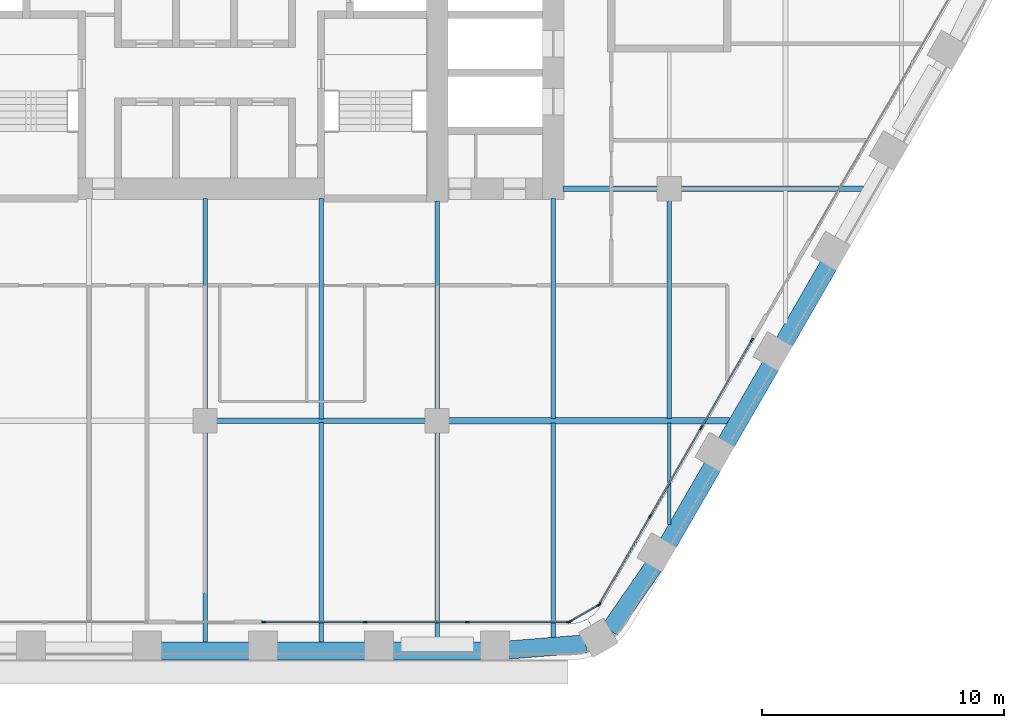
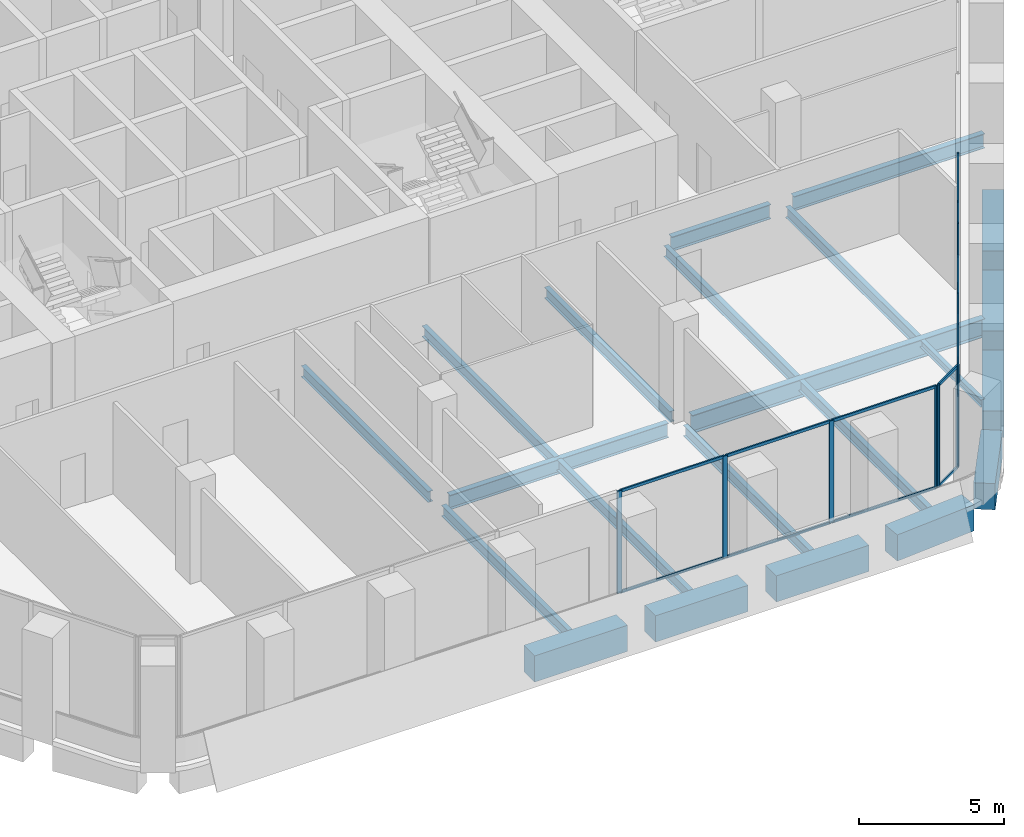
# One storey, part 4 of 23: 24 members, 22 beams, 3 elements without a shape of their own.
"""IFC4 building model written with IfcOpenShell, lengths in metres."""

import ifcopenshell
import ifcopenshell.guid

model = None  # the IFC model being written
_history = None  # IfcOwnerHistory: only IFC2X3 demands one
_inside = {}  # id of a spatial element -> (the spatial element, [elements in it])
_under = {}  # id of a project, library or spatial element -> (it, [spatial elements below it])
_declared = {}  # id of a project -> (the project, [libraries it declares])
_typed = {}  # id of a type object -> (the type object, [elements of that type])
_made_of = {}  # id of a material, layer set ... -> (it, [elements and type objects made of it])


def new_model(schema):
    """Start an empty IFC model of exactly this schema.

    Asked for "IFC4X3", IfcOpenShell would pick the latest addendum, in which some entities
    have other attributes; the version numbers below select the first issue.
    IFC2X3 requires an IfcOwnerHistory on every rooted entity: one is made here for all.
    """
    global model, _history
    if schema == "IFC4X3":
        model = ifcopenshell.file(schema_version=(4, 3, 0, 0))
    else:
        model = ifcopenshell.file(schema=schema)
    _inside.clear()
    _under.clear()
    _declared.clear()
    _typed.clear()
    _made_of.clear()
    _history = None
    if model.schema == "IFC2X3":
        org = make("IfcOrganization", Name="unknown")
        user = make(
            "IfcPersonAndOrganization",
            ThePerson=make("IfcPerson", FamilyName="unknown"),
            TheOrganization=org,
        )
        app = make(
            "IfcApplication",
            ApplicationDeveloper=org,
            Version="unknown",
            ApplicationFullName="unknown",
            ApplicationIdentifier="unknown",
        )
        _history = make(
            "IfcOwnerHistory",
            OwningUser=user,
            OwningApplication=app,
            ChangeAction="ADDED",
            CreationDate=0,
        )
    return model


def make(cls, **values):
    """One entity of the class cls with the attributes given. An attribute that is None is left unset."""
    return model.create_entity(
        cls, **{name: value for name, value in values.items() if value is not None}
    )


def rooted(cls, **values):
    """An entity with a GlobalId (a new one), such as an element, a storey or a relation."""
    return make(cls, GlobalId=ifcopenshell.guid.new(), OwnerHistory=_history, **values)


def si_unit(unit_type, name, prefix=None):
    """IfcSIUnit, for example si_unit("LENGTHUNIT", "METRE", prefix="MILLI")."""
    return make("IfcSIUnit", UnitType=unit_type, Prefix=prefix, Name=name)


def assignment(units):
    """IfcUnitAssignment: the units of a project."""
    return None if units is None else make("IfcUnitAssignment", Units=units)


def point(xyz):
    """IfcCartesianPoint."""
    return None if xyz is None else make("IfcCartesianPoint", Coordinates=xyz)


def direction(xyz):
    """IfcDirection."""
    return None if xyz is None else make("IfcDirection", DirectionRatios=xyz)


def frame(location, z_axis=None, x_axis=None):
    """IfcAxis2Placement3D, a coordinate frame: its origin and axes. An axis left out is left unset."""
    return make(
        "IfcAxis2Placement3D",
        Location=point(location),
        Axis=direction(z_axis),
        RefDirection=direction(x_axis),
    )


def frame_2d(location, x_axis=None):
    """IfcAxis2Placement2D, a coordinate frame in the plane: its origin and x axis."""
    return make(
        "IfcAxis2Placement2D", Location=point(location), RefDirection=direction(x_axis)
    )


def origin():
    """The frame at (0, 0, 0) with its axes left unset."""
    return frame((0.0, 0.0, 0.0))


def origin_2d():
    """The frame at (0, 0) in the plane with its x axis left unset."""
    return frame_2d((0.0, 0.0))


def place(relative_to, where):
    """IfcLocalPlacement: puts the frame where relative to a parent placement (None: the world)."""
    return make(
        "IfcLocalPlacement", PlacementRelTo=relative_to, RelativePlacement=where
    )


def context(
    kind, dimensions, precision=None, world=None, true_north=None, identifier=None
):
    """IfcGeometricRepresentationContext, for example the 3D "Model" context."""
    return make(
        "IfcGeometricRepresentationContext",
        ContextIdentifier=identifier,
        ContextType=kind,
        CoordinateSpaceDimension=dimensions,
        Precision=precision,
        WorldCoordinateSystem=world,
        TrueNorth=true_north,
    )


def subcontext(parent, identifier, kind, view, scale=None):
    """IfcGeometricRepresentationSubContext, for example "Body" below "Model"."""
    return make(
        "IfcGeometricRepresentationSubContext",
        ContextIdentifier=identifier,
        ContextType=kind,
        ParentContext=parent,
        TargetScale=scale,
        TargetView=view,
    )


def project(units=None, contexts=None):
    """IfcProject with its units and contexts."""
    return rooted(
        "IfcProject",
        Name="project",
        RepresentationContexts=contexts,
        UnitsInContext=assignment(units),
    )


def spatial(cls, under=None, at=None, **own):
    """A site, building, storey or space (cls), placed at a placement, below another one or the project."""
    s = rooted(cls, ObjectPlacement=at, **own)
    if under is not None:
        _under.setdefault(under.id(), (under, []))[1].append(s)
    return s


def profile(cls, at=None, kind="AREA", **sizes):
    """A parametric profile (cls). Its sizes go by their IFC names, for example OverallWidth=200.0."""
    return make(cls, ProfileType=kind, Position=at, **sizes)


def rectangle(**sizes):
    """IfcRectangleProfileDef."""
    return profile("IfcRectangleProfileDef", **sizes)


def i_section(**sizes):
    """IfcIShapeProfileDef."""
    return profile("IfcIShapeProfileDef", **sizes)


def extrude(swept, where, along, depth):
    """IfcExtrudedAreaSolid: the profile swept, set in the frame where, extruded along a direction by depth."""
    return make(
        "IfcExtrudedAreaSolid",
        SweptArea=swept,
        Position=where,
        ExtrudedDirection=direction(along),
        Depth=depth,
    )


def shape(context_of_items, identifier, shape_type, items):
    """IfcShapeRepresentation: the items that make up one representation, for example the "Body"."""
    return make(
        "IfcShapeRepresentation",
        ContextOfItems=context_of_items,
        RepresentationIdentifier=identifier,
        RepresentationType=shape_type,
        Items=items,
    )


def material(Name=None, Category=None):
    """IfcMaterial."""
    return make("IfcMaterial", Name=Name, Category=Category)


def material_profile(
    of_material, cross_section, Name=None, Category=None, Priority=None
):
    """IfcMaterialProfile: a cross section and its material."""
    return make(
        "IfcMaterialProfile",
        Name=Name,
        Material=of_material,
        Profile=cross_section,
        Priority=Priority,
        Category=Category,
    )


def profile_set(profiles, Name=None, composite=None):
    """IfcMaterialProfileSet."""
    return make(
        "IfcMaterialProfileSet",
        Name=Name,
        MaterialProfiles=profiles,
        CompositeProfile=composite,
    )


def made_of(thing, what):
    """Note that an element or type object is made of a material, layer set ...; save() writes the relation."""
    if what is not None:
        _made_of.setdefault(what.id(), (what, []))[1].append(thing)
    return thing


def type_object(cls, material=None, **own):
    """A type object (cls), such as IfcWallType, which elements share."""
    return made_of(rooted(cls, **own), material)


def element(
    cls,
    number,
    at=None,
    inside=None,
    cuts=None,
    type_object=None,
    material=None,
    context=None,
    identifier="Body",
    shape_type=None,
    held_by="IfcProductDefinitionShape",
    body=None,
    shapes=None,
    **own,
):
    """One element of the class cls, such as IfcWall. Its Tag is "e" and its number.

    at: its placement. inside: the storey or other place that contains it. cuts: it is an
    opening in that element (IfcRelVoidsElement). A single representation is given by context,
    identifier, shape_type and body (its items); several are given by shapes. held_by: the class
    of the entity that holds the representations. save() writes the other relations.
    """
    e = rooted(cls, Tag="e%d" % number, ObjectPlacement=at, **own)
    if body is not None:
        shapes = [shape(context, identifier, shape_type, body)]
    if shapes is not None:
        e.Representation = make(held_by, Representations=shapes)
    if inside is not None:
        _inside.setdefault(inside.id(), (inside, []))[1].append(e)
    if cuts is not None:
        rooted(
            "IfcRelVoidsElement", RelatingBuildingElement=cuts, RelatedOpeningElement=e
        )
    if type_object is not None:
        _typed.setdefault(type_object.id(), (type_object, []))[1].append(e)
    return made_of(e, material)


def aggregate(whole, parts):
    """IfcRelAggregates: a whole, such as a stair, and the parts it consists of."""
    return rooted("IfcRelAggregates", RelatingObject=whole, RelatedObjects=parts)


def save(model, path):
    """Write the relations noted so far, then the file.

    IfcRelAggregates (storeys below a building ...), IfcRelContainedInSpatialStructure (elements
    in a storey), IfcRelDefinesByType, IfcRelAssociatesMaterial and IfcRelDeclares: one each for
    every whole, place, type object, material and project.
    """
    for whole, parts in _under.values():
        aggregate(whole, parts)
    for where, things in _inside.values():
        rooted(
            "IfcRelContainedInSpatialStructure",
            RelatedElements=things,
            RelatingStructure=where,
        )
    for kind, things in _typed.values():
        rooted("IfcRelDefinesByType", RelatedObjects=things, RelatingType=kind)
    for what, things in _made_of.values():
        rooted("IfcRelAssociatesMaterial", RelatedObjects=things, RelatingMaterial=what)
    for by, libraries in _declared.values():
        rooted("IfcRelDeclares", RelatingContext=by, RelatedDefinitions=libraries)
    model.write(path)


model = new_model("IFC4")

# Units and contexts
model_context = context("Model", 3, precision=1e-05, world=origin(), true_north=direction((0.0, 1.0)))
body_context = subcontext(model_context, "Body", "Model", "MODEL_VIEW")
ifc_project = project(units=[si_unit("LENGTHUNIT", "METRE"), si_unit("AREAUNIT", "SQUARE_METRE"), si_unit("VOLUMEUNIT", "CUBIC_METRE"), si_unit("PLANEANGLEUNIT", "RADIAN"), si_unit("MASSUNIT", "GRAM", prefix="KILO")], contexts=[model_context])

# Site, building, storey
site_placement = place(None, origin())
site = spatial("IfcSite", under=ifc_project, at=site_placement, CompositionType="ELEMENT")
building_placement = place(site_placement, origin())
building = spatial("IfcBuilding", under=site, at=building_placement, Name="Kolab Exchange Tower", CompositionType="ELEMENT")
storey_placement = place(building_placement, frame((0.0, 0.0, 100.39990234375)))
storey = spatial("IfcBuildingStorey", under=building, at=storey_placement, Name="L19", CompositionType="ELEMENT", Elevation=100.39990234375)

# Beams
ifc_material_1 = material(Name="Steel S355", Category="steel")
ifc_material_profile_1 = material_profile(ifc_material_1, i_section(OverallWidth=0.1650390625, OverallDepth=0.31005859375, WebThickness=0.005859375, FlangeThickness=0.009765625, at=origin_2d()), Name="W310X39")
ifc_profile_set_1 = profile_set([ifc_material_profile_1], Name="Steel S355")
beam_type_1 = type_object("IfcBeamType", Name="FLOOR BEAM W310X39", PredefinedType="BEAM", material=ifc_profile_set_1)
beam_1_placement = place(storey_placement, frame((19.199951171875, -23.4814453125, -0.35498046875), z_axis=(0.0, 1.0, 0.0), x_axis=(-1.0, 0.0, 0.0)))
element("IfcBeam", 1, at=beam_1_placement, inside=storey, type_object=beam_type_1, Name="beam/L19/fr/040", PredefinedType="BEAM", context=body_context, shape_type="SweptSolid", body=[
    extrude(i_section(OverallWidth=0.1650390625, OverallDepth=0.31005859375, WebThickness=0.005859375, FlangeThickness=0.009765625, at=origin_2d()), origin(), (0.0, 0.0, 1.0), 4.18798828125),
])
ifc_material_profile_2 = material_profile(ifc_material_1, i_section(OverallWidth=0.18994140625, OverallDepth=0.45703125, WebThickness=0.009033203125, FlangeThickness=0.014404296875, at=origin_2d()), Name="W460X74")
ifc_profile_set_2 = profile_set([ifc_material_profile_2], Name="Steel S355")
beam_type_2 = type_object("IfcBeamType", Name="FLOOR BEAM W460X74", PredefinedType="BEAM", material=ifc_profile_set_2)
beam_2_placement = place(storey_placement, frame((0.0, -28.388427734375, -0.428466796875), z_axis=(0.0, 1.0, 0.0), x_axis=(-1.0, 0.0, 0.0)))
element("IfcBeam", 2, at=beam_2_placement, inside=storey, type_object=beam_type_2, Name="beam/L19/fr/024", PredefinedType="BEAM", context=body_context, shape_type="SweptSolid", body=[
    extrude(i_section(OverallWidth=0.18994140625, OverallDepth=0.45703125, WebThickness=0.009033203125, FlangeThickness=0.014404296875, at=origin_2d()), origin(), (0.0, 0.0, 1.0), 8.728515625),
])
beam_3_placement = place(storey_placement, frame((0.0, -18.739990234375, -0.428466796875), z_axis=(0.0, 1.0, 0.0), x_axis=(-1.0, 0.0, 0.0)))
element("IfcBeam", 3, at=beam_3_placement, inside=storey, type_object=beam_type_2, Name="beam/L19/fr/025", PredefinedType="BEAM", context=body_context, shape_type="SweptSolid", body=[
    extrude(i_section(OverallWidth=0.18994140625, OverallDepth=0.45703125, WebThickness=0.009033203125, FlangeThickness=0.014404296875, at=origin_2d()), origin(), (0.0, 0.0, 1.0), 8.72998046875),
])
beam_4_placement = place(storey_placement, frame((4.800048828125, -28.388427734375, -0.428466796875), z_axis=(0.0, 1.0, 0.0), x_axis=(-1.0, 0.0, 0.0)))
element("IfcBeam", 4, at=beam_4_placement, inside=storey, type_object=beam_type_2, Name="beam/L19/fr/028", PredefinedType="BEAM", context=body_context, shape_type="SweptSolid", body=[
    extrude(i_section(OverallWidth=0.18994140625, OverallDepth=0.45703125, WebThickness=0.009033203125, FlangeThickness=0.014404296875, at=origin_2d()), origin(), (0.0, 0.0, 1.0), 9.114501953125),
])
beam_5_placement = place(storey_placement, frame((4.800048828125, -19.1259765625, -0.428466796875), z_axis=(0.0, 1.0, 0.0), x_axis=(-1.0, 0.0, 0.0)))
element("IfcBeam", 5, at=beam_5_placement, inside=storey, type_object=beam_type_2, Name="beam/L19/fr/029", PredefinedType="BEAM", context=body_context, shape_type="SweptSolid", body=[
    extrude(i_section(OverallWidth=0.18994140625, OverallDepth=0.45703125, WebThickness=0.009033203125, FlangeThickness=0.014404296875, at=origin_2d()), origin(), (0.0, 0.0, 1.0), 9.115966796875),
])
beam_6_placement = place(storey_placement, frame((9.60009765625, -28.388427734375, -0.428466796875), z_axis=(0.0, 1.0, 0.0), x_axis=(-1.0, 0.0, 0.0)))
element("IfcBeam", 6, at=beam_6_placement, inside=storey, type_object=beam_type_2, Name="beam/L19/fr/032", PredefinedType="BEAM", context=body_context, shape_type="SweptSolid", body=[
    extrude(i_section(OverallWidth=0.18994140625, OverallDepth=0.45703125, WebThickness=0.009033203125, FlangeThickness=0.014404296875, at=origin_2d()), origin(), (0.0, 0.0, 1.0), 8.728515625),
])
beam_7_placement = place(storey_placement, frame((9.60009765625, -18.739990234375, -0.428466796875), z_axis=(0.0, 1.0, 0.0), x_axis=(-1.0, 0.0, 0.0)))
element("IfcBeam", 7, at=beam_7_placement, inside=storey, type_object=beam_type_2, Name="beam/L19/fr/033", PredefinedType="BEAM", context=body_context, shape_type="SweptSolid", body=[
    extrude(i_section(OverallWidth=0.18994140625, OverallDepth=0.45703125, WebThickness=0.009033203125, FlangeThickness=0.014404296875, at=origin_2d()), origin(), (0.0, 0.0, 1.0), 8.6298828125),
])
beam_8_placement = place(storey_placement, frame((14.39990234375, -28.194580078125, -0.428466796875), z_axis=(0.0, 1.0, 0.0), x_axis=(-1.0, 0.0, 0.0)))
element("IfcBeam", 8, at=beam_8_placement, inside=storey, type_object=beam_type_2, Name="beam/L19/fr/036", PredefinedType="BEAM", context=body_context, shape_type="SweptSolid", body=[
    extrude(i_section(OverallWidth=0.18994140625, OverallDepth=0.45703125, WebThickness=0.009033203125, FlangeThickness=0.014404296875, at=origin_2d()), origin(), (0.0, 0.0, 1.0), 8.901123046875),
])
beam_9_placement = place(storey_placement, frame((14.39990234375, -19.1064453125, -0.428466796875), z_axis=(0.0, 1.0, 0.0), x_axis=(-1.0, 0.0, 0.0)))
element("IfcBeam", 9, at=beam_9_placement, inside=storey, type_object=beam_type_2, Name="beam/L19/fr/037", PredefinedType="BEAM", context=body_context, shape_type="SweptSolid", body=[
    extrude(i_section(OverallWidth=0.18994140625, OverallDepth=0.45703125, WebThickness=0.009033203125, FlangeThickness=0.014404296875, at=origin_2d()), origin(), (0.0, 0.0, 1.0), 9.096435546875),
])
beam_10_placement = place(storey_placement, frame((19.199951171875, -19.1064453125, -0.428466796875), z_axis=(0.0, 1.0, 0.0), x_axis=(-1.0, 0.0, 0.0)))
element("IfcBeam", 10, at=beam_10_placement, inside=storey, type_object=beam_type_2, Name="beam/L19/fr/041", PredefinedType="BEAM", context=body_context, shape_type="SweptSolid", body=[
    extrude(i_section(OverallWidth=0.18994140625, OverallDepth=0.45703125, WebThickness=0.009033203125, FlangeThickness=0.014404296875, at=origin_2d()), origin(), (0.0, 0.0, 1.0), 9.04638671875),
])
ifc_material_profile_3 = material_profile(ifc_material_1, i_section(OverallWidth=0.22802734375, OverallDepth=0.60791015625, WebThickness=0.01123046875, FlangeThickness=0.017333984375, at=origin_2d()), Name="W610X113")
ifc_profile_set_3 = profile_set([ifc_material_profile_3], Name="Steel S355")
beam_type_3 = type_object("IfcBeamType", Name="FLOOR GIRDER W610X113", PredefinedType="BEAM", material=ifc_profile_set_3)
beam_11_placement = place(storey_placement, frame((0.4599609375, -19.199951171875, -0.50390625), z_axis=(1.0, 0.0, 0.0), x_axis=(0.0, 1.0, 0.0)))
element("IfcBeam", 11, at=beam_11_placement, inside=storey, type_object=beam_type_3, Name="beam/L19/gd/010", PredefinedType="BEAM", context=body_context, shape_type="SweptSolid", body=[
    extrude(i_section(OverallWidth=0.22802734375, OverallDepth=0.60791015625, WebThickness=0.01123046875, FlangeThickness=0.017333984375, at=origin_2d()), origin(), (0.0, 0.0, 1.0), 8.679931640625),
])
beam_12_placement = place(storey_placement, frame((14.81005859375, -9.60009765625, -0.50390625), z_axis=(1.0, 0.0, 0.0), x_axis=(0.0, 1.0, 0.0)))
element("IfcBeam", 12, at=beam_12_placement, inside=storey, type_object=beam_type_3, Name="beam/L19/gd/014", PredefinedType="BEAM", context=body_context, shape_type="SweptSolid", body=[
    extrude(i_section(OverallWidth=0.22802734375, OverallDepth=0.60791015625, WebThickness=0.01123046875, FlangeThickness=0.017333984375, at=origin_2d()), origin(), (0.0, 0.0, 1.0), 3.929931640625),
])
beam_13_placement = place(storey_placement, frame((19.659912109375, -9.60009765625, -0.50390625), z_axis=(1.0, 0.0, 0.0), x_axis=(0.0, 1.0, 0.0)))
element("IfcBeam", 13, at=beam_13_placement, inside=storey, type_object=beam_type_3, Name="beam/L19/gd/017", PredefinedType="BEAM", context=body_context, shape_type="SweptSolid", body=[
    extrude(i_section(OverallWidth=0.22802734375, OverallDepth=0.60791015625, WebThickness=0.01123046875, FlangeThickness=0.017333984375, at=origin_2d()), origin(), (0.0, 0.0, 1.0), 7.571533203125),
])
ifc_material_profile_4 = material_profile(ifc_material_1, i_section(OverallWidth=0.26708984375, OverallDepth=0.761962890625, WebThickness=0.014404296875, FlangeThickness=0.021484375, at=origin_2d()), Name="W760X173")
ifc_profile_set_4 = profile_set([ifc_material_profile_4], Name="Steel S355")
beam_type_4 = type_object("IfcBeamType", Name="FLOOR GIRDER W760X173", PredefinedType="BEAM", material=ifc_profile_set_4)
beam_14_placement = place(storey_placement, frame((10.06005859375, -19.199951171875, -0.580810546875), z_axis=(1.0, 0.0, 0.0), x_axis=(0.0, 1.0, 0.0)))
element("IfcBeam", 14, at=beam_14_placement, inside=storey, type_object=beam_type_4, Name="beam/L19/gd/012", PredefinedType="BEAM", context=body_context, shape_type="SweptSolid", body=[
    extrude(i_section(OverallWidth=0.26708984375, OverallDepth=0.761962890625, WebThickness=0.014404296875, FlangeThickness=0.021484375, at=origin_2d()), origin(), (0.0, 0.0, 1.0), 11.628662109375),
])
ifc_material_2 = material(Name="Concrete C70/85", Category="concrete")
ifc_material_profile_5 = material_profile(ifc_material_2, rectangle(XDim=0.75, YDim=1.10009765625, at=origin_2d()), Name="RC750X1100")
ifc_profile_set_5 = profile_set([ifc_material_profile_5], Name="Concrete C70/85")
beam_type_5 = type_object("IfcBeamType", Name="SPANDREL BEAM 750X1100 C70/85", PredefinedType="BEAM", material=ifc_profile_set_5)
beam_15_placement = place(storey_placement, frame((25.795166015625, -12.768310546875, -0.75), z_axis=(-0.499963655964, -0.866046386007, 0.0), x_axis=(0.866046386007, -0.499963655964, 0.0)))
element("IfcBeam", 15, at=beam_15_placement, inside=storey, type_object=beam_type_5, Name="beam/L19/sp/F3-04", PredefinedType="BEAM", context=body_context, shape_type="SweptSolid", body=[
    extrude(rectangle(XDim=0.75, YDim=1.10009765625, at=origin_2d()), origin(), (0.0, 0.0, 1.0), 3.679931640625),
])
for number, where, z_axis, x_axis, name in (
    (16, (23.395263671875, -16.925048828125, -0.75), (-0.500013413428, -0.866017659399, 0.0), (0.866017659399, -0.500013413428, 0.0), "beam/L19/sp/F3-05"),
    (17, (20.995361328125, -21.08203125, -0.75), (-0.500013413428, -0.866017659399, 0.0), (0.866017659399, -0.500013413428, 0.0), "beam/L19/sp/F3-06"),
):
    element("IfcBeam", number, at=place(storey_placement, frame(where, z_axis=z_axis, x_axis=x_axis)), inside=storey, type_object=beam_type_5, Name=name, PredefinedType="BEAM", context=body_context, shape_type="SweptSolid", body=[
        extrude(rectangle(XDim=0.75, YDim=1.10009765625, at=origin_2d()), origin(), (0.0, 0.0, 1.0), 3.68017578125),
    ])
for number, where, z_axis, x_axis, name in (
    (18, (18.55615234375, -25.216552734375, -0.75), (-0.567661826262, -0.823261836237, 0.0), (0.823261836237, -0.567661826262, 0.0), "beam/L19/sp/F3-07"),
    (19, (15.75830078125, -28.421630859375, -0.75), (-0.996791038408, -0.080047646748, 0.0), (0.080047646748, -0.996791038408, 0.0), "beam/L19/sp/F4-01"),
):
    element("IfcBeam", number, at=place(storey_placement, frame(where, z_axis=z_axis, x_axis=x_axis)), inside=storey, type_object=beam_type_5, Name=name, PredefinedType="BEAM", context=body_context, shape_type="SweptSolid", body=[
        extrude(rectangle(XDim=0.75, YDim=1.10009765625, at=origin_2d()), origin(), (0.0, 0.0, 1.0), 3.20849609375),
    ])
for number, where, z_axis, x_axis, name in (
    (20, (11.43994140625, -28.723388671875, -0.75), (-1.0, 0.0, 0.0), (0.0, -1.0, 0.0), "beam/L19/sp/F4-02"),
    (21, (6.639892578125, -28.723388671875, -0.75), (-1.0, 0.0, 0.0), (0.0, -1.0, 0.0), "beam/L19/sp/F4-03"),
):
    element("IfcBeam", number, at=place(storey_placement, frame(where, z_axis=z_axis, x_axis=x_axis)), inside=storey, type_object=beam_type_5, Name=name, PredefinedType="BEAM", context=body_context, shape_type="SweptSolid", body=[
        extrude(rectangle(XDim=0.75, YDim=1.10009765625, at=origin_2d()), origin(), (0.0, 0.0, 1.0), 3.679931640625),
    ])
beam_16_placement = place(storey_placement, frame((1.840087890625, -28.723388671875, -0.75), z_axis=(-1.0, 0.0, 0.0), x_axis=(0.0, -1.0, 0.0)))
element("IfcBeam", 22, at=beam_16_placement, inside=storey, type_object=beam_type_5, Name="beam/L19/sp/F4-04", PredefinedType="BEAM", context=body_context, shape_type="SweptSolid", body=[
    extrude(rectangle(XDim=0.75, YDim=1.10009765625, at=origin_2d()), origin(), (0.0, 0.0, 1.0), 3.68017578125),
])

# Curtain wall, members
ifc_material_3 = material(Name="Aluminium EN AW-6063 T6", Category="aluminium")
curtain_wall_type = type_object("IfcCurtainWallType", Name="UNITISED LOWER MID ZONE CURTAIN WALL", PredefinedType="NOTDEFINED", material=ifc_material_3)
curtain_wall_1_placement = place(storey_placement, origin())
curtain_wall_1 = element("IfcCurtainWall", 23, at=curtain_wall_1_placement, inside=storey, type_object=curtain_wall_type, Name="cw/L19/F3-2", PredefinedType="NOTDEFINED")
ifc_material_profile_6 = material_profile(ifc_material_3, rectangle(XDim=0.06005859375, YDim=0.179931640625, at=origin_2d()), Name="RECT 60X180")
ifc_profile_set_6 = profile_set([ifc_material_profile_6], Name="Aluminium EN AW-6063 T6")
member_type_1 = type_object("IfcMemberType", Name="UNITISED LOWER MID ZONE MULLION 60 X 180", PredefinedType="MULLION", material=ifc_profile_set_6)
member_1_placement = place(storey_placement, frame((22.61669921875, -15.86376953125, 0.0), z_axis=(0.0, 0.0, 1.0), x_axis=(0.866025393644, -0.500000017564, 0.0)))
member_1 = element("IfcMember", 24, at=member_1_placement, type_object=member_type_1, Name="CW2 mullion 1", PredefinedType="MULLION", context=body_context, shape_type="SweptSolid", body=[
    extrude(rectangle(XDim=0.06005859375, YDim=0.179931640625, at=origin_2d()), origin(), (0.0, 0.0, 1.0), 4.300048828125),
])
member_2_placement = place(storey_placement, frame((20.520263671875, -19.49462890625, 0.0), z_axis=(0.0, 0.0, 1.0), x_axis=(0.866025393644, -0.500000017564, 0.0)))
member_2 = element("IfcMember", 25, at=member_2_placement, type_object=member_type_1, Name="CW2 mullion 2", PredefinedType="MULLION", context=body_context, shape_type="SweptSolid", body=[
    extrude(rectangle(XDim=0.06005859375, YDim=0.179931640625, at=origin_2d()), origin(), (0.0, 0.0, 1.0), 4.300048828125),
])
member_3_placement = place(storey_placement, frame((18.408935546875, -23.151611328125, 0.0), z_axis=(0.0, 0.0, 1.0), x_axis=(0.866025393644, -0.500000017564, 0.0)))
member_3 = element("IfcMember", 26, at=member_3_placement, type_object=member_type_1, Name="CW2 mullion 3", PredefinedType="MULLION", context=body_context, shape_type="SweptSolid", body=[
    extrude(rectangle(XDim=0.06005859375, YDim=0.179931640625, at=origin_2d()), origin(), (0.0, 0.0, 1.0), 4.300048828125),
])
member_4_placement = place(storey_placement, frame((16.312744140625, -26.782470703125, 0.0), z_axis=(0.0, 0.0, 1.0), x_axis=(0.866025393644, -0.500000017564, 0.0)))
member_4 = element("IfcMember", 27, at=member_4_placement, type_object=member_type_1, Name="CW2 mullion 4", PredefinedType="MULLION", context=body_context, shape_type="SweptSolid", body=[
    extrude(rectangle(XDim=0.06005859375, YDim=0.179931640625, at=origin_2d()), origin(), (0.0, 0.0, 1.0), 4.300048828125),
])

curtain_wall_2_placement = place(storey_placement, origin())
curtain_wall_2 = element("IfcCurtainWall", 28, at=curtain_wall_2_placement, inside=storey, type_object=curtain_wall_type, Name="cw/L19/F4-1", PredefinedType="NOTDEFINED")
member_5_placement = place(storey_placement, frame((15.037841796875, -27.5185546875, 0.0), z_axis=(0.0, 0.0, 1.0), x_axis=(0.0, -1.0, 0.0)))
member_5 = element("IfcMember", 29, at=member_5_placement, type_object=member_type_1, Name="CW2 mullion 1", PredefinedType="MULLION", context=body_context, shape_type="SweptSolid", body=[
    extrude(rectangle(XDim=0.06005859375, YDim=0.179931640625, at=origin_2d()), origin(), (0.0, 0.0, 1.0), 4.300048828125),
])
member_6_placement = place(storey_placement, frame((10.84521484375, -27.5185546875, 0.0), z_axis=(0.0, 0.0, 1.0), x_axis=(0.0, -1.0, 0.0)))
member_6 = element("IfcMember", 30, at=member_6_placement, type_object=member_type_1, Name="CW2 mullion 2", PredefinedType="MULLION", context=body_context, shape_type="SweptSolid", body=[
    extrude(rectangle(XDim=0.06005859375, YDim=0.179931640625, at=origin_2d()), origin(), (0.0, 0.0, 1.0), 4.300048828125),
])
member_7_placement = place(storey_placement, frame((6.62255859375, -27.5185546875, 0.0), z_axis=(0.0, 0.0, 1.0), x_axis=(0.0, -1.0, 0.0)))
member_7 = element("IfcMember", 31, at=member_7_placement, type_object=member_type_1, Name="CW2 mullion 3", PredefinedType="MULLION", context=body_context, shape_type="SweptSolid", body=[
    extrude(rectangle(XDim=0.06005859375, YDim=0.179931640625, at=origin_2d()), origin(), (0.0, 0.0, 1.0), 4.300048828125),
])
member_8_placement = place(storey_placement, frame((2.429931640625, -27.5185546875, 0.0), z_axis=(0.0, 0.0, 1.0), x_axis=(0.0, -1.0, 0.0)))
member_8 = element("IfcMember", 32, at=member_8_placement, type_object=member_type_1, Name="CW2 mullion 4", PredefinedType="MULLION", context=body_context, shape_type="SweptSolid", body=[
    extrude(rectangle(XDim=0.06005859375, YDim=0.179931640625, at=origin_2d()), origin(), (0.0, 0.0, 1.0), 4.300048828125),
])

curtain_wall_3_placement = place(storey_placement, origin())
curtain_wall_3 = element("IfcCurtainWall", 33, at=curtain_wall_3_placement, inside=storey, type_object=curtain_wall_type, Name="cw/L19/F3F4-corner", PredefinedType="NOTDEFINED")
member_9_placement = place(storey_placement, frame((16.271728515625, -26.823486328125, 0.0), z_axis=(0.0, 0.0, 1.0), x_axis=(0.50000002237, -0.866025390869, 0.0)))
member_9 = element("IfcMember", 34, at=member_9_placement, type_object=member_type_1, Name="CW2 mullion 1", PredefinedType="MULLION", context=body_context, shape_type="SweptSolid", body=[
    extrude(rectangle(XDim=0.06005859375, YDim=0.179931640625, at=origin_2d()), origin(), (0.0, 0.0, 1.0), 4.300048828125),
])
member_10_placement = place(storey_placement, frame((15.093994140625, -27.50341796875, 0.0), z_axis=(0.0, 0.0, 1.0), x_axis=(0.50000002237, -0.866025390869, 0.0)))
member_10 = element("IfcMember", 35, at=member_10_placement, type_object=member_type_1, Name="CW2 mullion 2", PredefinedType="MULLION", context=body_context, shape_type="SweptSolid", body=[
    extrude(rectangle(XDim=0.06005859375, YDim=0.179931640625, at=origin_2d()), origin(), (0.0, 0.0, 1.0), 4.300048828125),
])

# Member
ifc_material_profile_7 = material_profile(ifc_material_3, rectangle(XDim=0.06005859375, YDim=0.1201171875, at=origin_2d()), Name="RECT 60X120")
ifc_profile_set_7 = profile_set([ifc_material_profile_7], Name="Aluminium EN AW-6063 T6")
member_type_2 = type_object("IfcMemberType", Name="UNITISED LOWER MID ZONE TRANSOM 60 X 120", PredefinedType="USERDEFINED", material=ifc_profile_set_7)
member_11_placement = place(storey_placement, frame((22.6015625, -15.8896484375, 0.030029296875), z_axis=(-0.499957688808, -0.866049830784, 0.0), x_axis=(0.866049830784, -0.499957688808, 0.0)))
member_11 = element("IfcMember", 36, at=member_11_placement, type_object=member_type_2, Name="CW2 transom 1.1", ObjectType="TRANSOM", PredefinedType="USERDEFINED", context=body_context, shape_type="SweptSolid", body=[
    extrude(rectangle(XDim=0.06005859375, YDim=0.1201171875, at=origin_2d()), origin(), (0.0, 0.0, 1.0), 4.132568359375),
])

member_12_placement = place(storey_placement, frame((22.6015625, -15.8896484375, 4.27001953125), z_axis=(-0.499957688808, -0.866049830784, 0.0), x_axis=(0.866049830784, -0.499957688808, 0.0)))
member_12 = element("IfcMember", 37, at=member_12_placement, type_object=member_type_2, Name="CW2 transom 1.2", ObjectType="TRANSOM", PredefinedType="USERDEFINED", context=body_context, shape_type="SweptSolid", body=[
    extrude(rectangle(XDim=0.06005859375, YDim=0.1201171875, at=origin_2d()), origin(), (0.0, 0.0, 1.0), 4.132568359375),
])

member_13_placement = place(storey_placement, frame((20.50537109375, -19.5205078125, 0.030029296875), z_axis=(-0.49999322259, -0.866029316688, 0.0), x_axis=(0.866029316688, -0.49999322259, 0.0)))
member_13 = element("IfcMember", 38, at=member_13_placement, type_object=member_type_2, Name="CW2 transom 2.1", ObjectType="TRANSOM", PredefinedType="USERDEFINED", context=body_context, shape_type="SweptSolid", body=[
    extrude(rectangle(XDim=0.06005859375, YDim=0.1201171875, at=origin_2d()), origin(), (0.0, 0.0, 1.0), 4.16259765625),
])

member_14_placement = place(storey_placement, frame((20.50537109375, -19.5205078125, 4.27001953125), z_axis=(-0.49999322259, -0.866029316688, 0.0), x_axis=(0.866029316688, -0.49999322259, 0.0)))
member_14 = element("IfcMember", 39, at=member_14_placement, type_object=member_type_2, Name="CW2 transom 2.2", ObjectType="TRANSOM", PredefinedType="USERDEFINED", context=body_context, shape_type="SweptSolid", body=[
    extrude(rectangle(XDim=0.06005859375, YDim=0.1201171875, at=origin_2d()), origin(), (0.0, 0.0, 1.0), 4.16259765625),
])

member_15_placement = place(storey_placement, frame((18.39404296875, -23.177490234375, 0.030029296875), z_axis=(-0.500001996123, -0.866024251319, 0.0), x_axis=(0.866024251319, -0.500001996123, 0.0)))
member_15 = element("IfcMember", 40, at=member_15_placement, type_object=member_type_2, Name="CW2 transom 3.1", ObjectType="TRANSOM", PredefinedType="USERDEFINED", context=body_context, shape_type="SweptSolid", body=[
    extrude(rectangle(XDim=0.06005859375, YDim=0.1201171875, at=origin_2d()), origin(), (0.0, 0.0, 1.0), 4.1328125),
])

member_16_placement = place(storey_placement, frame((18.39404296875, -23.177490234375, 4.27001953125), z_axis=(-0.500001996123, -0.866024251319, 0.0), x_axis=(0.866024251319, -0.500001996123, 0.0)))
member_16 = element("IfcMember", 41, at=member_16_placement, type_object=member_type_2, Name="CW2 transom 3.2", ObjectType="TRANSOM", PredefinedType="USERDEFINED", context=body_context, shape_type="SweptSolid", body=[
    extrude(rectangle(XDim=0.06005859375, YDim=0.1201171875, at=origin_2d()), origin(), (0.0, 0.0, 1.0), 4.1328125),
])

aggregate(curtain_wall_1, [member_1, member_2, member_3, member_4, member_11, member_12, member_13, member_14, member_15, member_16])

member_17_placement = place(storey_placement, frame((15.008056640625, -27.5185546875, 0.030029296875), z_axis=(-1.0, 0.0, 0.0), x_axis=(0.0, -1.0, 0.0)))
member_17 = element("IfcMember", 42, at=member_17_placement, type_object=member_type_2, Name="CW2 transom 1.1", ObjectType="TRANSOM", PredefinedType="USERDEFINED", context=body_context, shape_type="SweptSolid", body=[
    extrude(rectangle(XDim=0.06005859375, YDim=0.1201171875, at=origin_2d()), origin(), (0.0, 0.0, 1.0), 4.1328125),
])

member_18_placement = place(storey_placement, frame((15.008056640625, -27.5185546875, 4.27001953125), z_axis=(-1.0, 0.0, 0.0), x_axis=(0.0, -1.0, 0.0)))
member_18 = element("IfcMember", 43, at=member_18_placement, type_object=member_type_2, Name="CW2 transom 1.2", ObjectType="TRANSOM", PredefinedType="USERDEFINED", context=body_context, shape_type="SweptSolid", body=[
    extrude(rectangle(XDim=0.06005859375, YDim=0.1201171875, at=origin_2d()), origin(), (0.0, 0.0, 1.0), 4.1328125),
])

member_19_placement = place(storey_placement, frame((10.815185546875, -27.5185546875, 0.030029296875), z_axis=(-1.0, 0.0, 0.0), x_axis=(0.0, -1.0, 0.0)))
member_19 = element("IfcMember", 44, at=member_19_placement, type_object=member_type_2, Name="CW2 transom 2.1", ObjectType="TRANSOM", PredefinedType="USERDEFINED", context=body_context, shape_type="SweptSolid", body=[
    extrude(rectangle(XDim=0.06005859375, YDim=0.1201171875, at=origin_2d()), origin(), (0.0, 0.0, 1.0), 4.16259765625),
])

member_20_placement = place(storey_placement, frame((10.815185546875, -27.5185546875, 4.27001953125), z_axis=(-1.0, 0.0, 0.0), x_axis=(0.0, -1.0, 0.0)))
member_20 = element("IfcMember", 45, at=member_20_placement, type_object=member_type_2, Name="CW2 transom 2.2", ObjectType="TRANSOM", PredefinedType="USERDEFINED", context=body_context, shape_type="SweptSolid", body=[
    extrude(rectangle(XDim=0.06005859375, YDim=0.1201171875, at=origin_2d()), origin(), (0.0, 0.0, 1.0), 4.16259765625),
])

member_21_placement = place(storey_placement, frame((6.592529296875, -27.5185546875, 0.030029296875), z_axis=(-1.0, 0.0, 0.0), x_axis=(0.0, -1.0, 0.0)))
member_21 = element("IfcMember", 46, at=member_21_placement, type_object=member_type_2, Name="CW2 transom 3.1", ObjectType="TRANSOM", PredefinedType="USERDEFINED", context=body_context, shape_type="SweptSolid", body=[
    extrude(rectangle(XDim=0.06005859375, YDim=0.1201171875, at=origin_2d()), origin(), (0.0, 0.0, 1.0), 4.132568359375),
])

member_22_placement = place(storey_placement, frame((6.592529296875, -27.5185546875, 4.27001953125), z_axis=(-1.0, 0.0, 0.0), x_axis=(0.0, -1.0, 0.0)))
member_22 = element("IfcMember", 47, at=member_22_placement, type_object=member_type_2, Name="CW2 transom 3.2", ObjectType="TRANSOM", PredefinedType="USERDEFINED", context=body_context, shape_type="SweptSolid", body=[
    extrude(rectangle(XDim=0.06005859375, YDim=0.1201171875, at=origin_2d()), origin(), (0.0, 0.0, 1.0), 4.132568359375),
])

aggregate(curtain_wall_2, [member_5, member_6, member_7, member_8, member_17, member_18, member_19, member_20, member_21, member_22])

member_23_placement = place(storey_placement, frame((16.245849609375, -26.83837890625, 0.030029296875), z_axis=(-0.866004217611, -0.500036693733, 0.0), x_axis=(0.500036693733, -0.866004217611, 0.0)))
member_23 = element("IfcMember", 48, at=member_23_placement, type_object=member_type_2, Name="CW2 transom 1.1", ObjectType="TRANSOM", PredefinedType="USERDEFINED", context=body_context, shape_type="SweptSolid", body=[
    extrude(rectangle(XDim=0.06005859375, YDim=0.1201171875, at=origin_2d()), origin(), (0.0, 0.0, 1.0), 1.30029296875),
])

member_24_placement = place(storey_placement, frame((16.245849609375, -26.83837890625, 4.27001953125), z_axis=(-0.866004217611, -0.500036693733, 0.0), x_axis=(0.500036693733, -0.866004217611, 0.0)))
member_24 = element("IfcMember", 49, at=member_24_placement, type_object=member_type_2, Name="CW2 transom 1.2", ObjectType="TRANSOM", PredefinedType="USERDEFINED", context=body_context, shape_type="SweptSolid", body=[
    extrude(rectangle(XDim=0.06005859375, YDim=0.1201171875, at=origin_2d()), origin(), (0.0, 0.0, 1.0), 1.30029296875),
])

aggregate(curtain_wall_3, [member_9, member_10, member_23, member_24])

save(model, "model.ifc")
